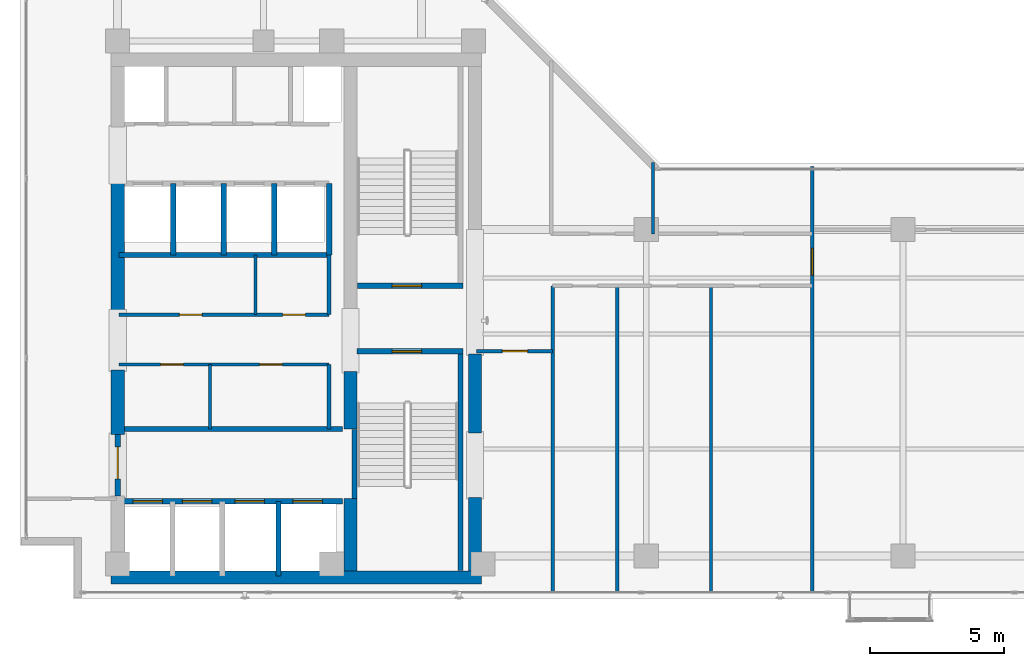
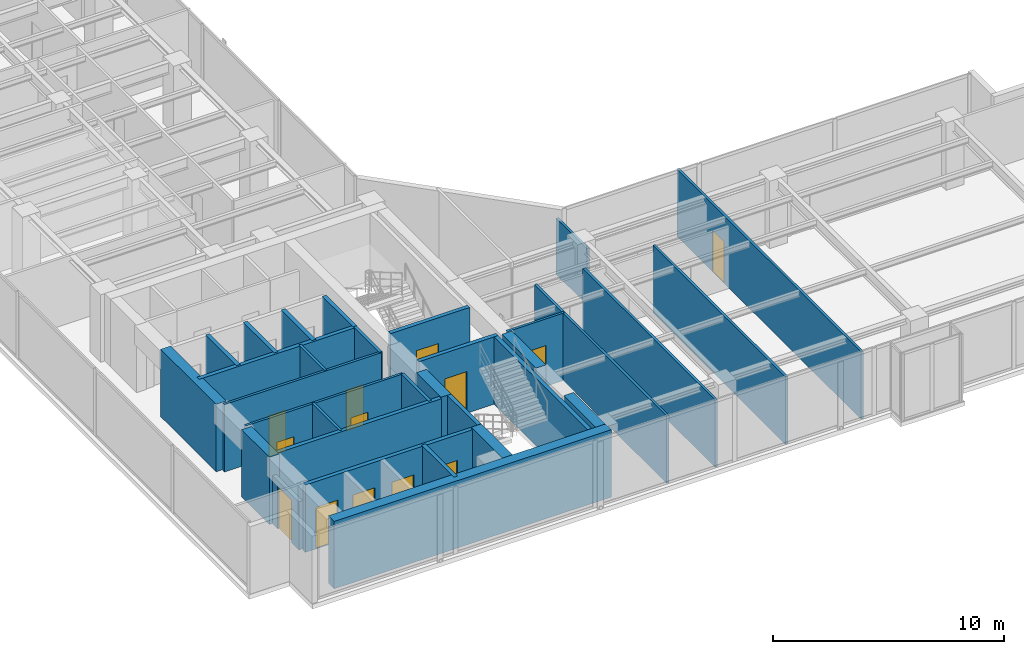
# One storey, part 17 of 24: 32 walls, 13 doors, 13 openings.
"""IFC4 building model written with IfcOpenShell, lengths in metres."""

from ifc_helpers import new_model, si_unit, direction, frame, frame_2d, origin, place, context, subcontext, project, spatial, rectangle, extrude, material, layer, layer_set, type_object, element, fill, save


model = new_model("IFC4")

# Units and contexts
model_context = context("Model", 3, precision=1e-05, world=origin(), true_north=direction((0.0, 1.0)))
body_context = subcontext(model_context, "Body", "Model", "MODEL_VIEW")
ifc_project = project(units=[si_unit("LENGTHUNIT", "METRE"), si_unit("AREAUNIT", "SQUARE_METRE"), si_unit("VOLUMEUNIT", "CUBIC_METRE"), si_unit("PLANEANGLEUNIT", "RADIAN"), si_unit("MASSUNIT", "GRAM", prefix="KILO")], contexts=[model_context])

# Site, building, storey
site_placement = place(None, origin())
site = spatial("IfcSite", under=ifc_project, at=site_placement, CompositionType="ELEMENT")
building_placement = place(site_placement, origin())
building = spatial("IfcBuilding", under=site, at=building_placement, Name="Kolvaren Waterfront Exchange", CompositionType="ELEMENT")
storey_placement = place(building_placement, frame((0.0, 0.0, 300.800048828125)))
storey = spatial("IfcBuildingStorey", under=building, at=storey_placement, Name="L77", CompositionType="ELEMENT", Elevation=300.800048828125)

# Wall, opening, door
ifc_material_1 = material(Name="Precast concrete C40/50", Category="concrete")
ifc_layer_1 = layer(ifc_material_1, 0.199951171875, Name="Precast concrete C40/50")
ifc_layer_set_1 = layer_set([ifc_layer_1], Name="Precast concrete C40/50")
wall_type_1 = type_object("IfcWallType", Name="ARC-FIRE-200", PredefinedType="PARTITIONING", material=ifc_layer_set_1)
wall_1_placement = place(storey_placement, frame((16.39990234375, 12.85009765625, 0.0), z_axis=(0.0, 0.0, 1.0), x_axis=(1.0, 0.0, 0.0)))
wall_1 = element("IfcWall", 1, at=wall_1_placement, inside=storey, type_object=wall_type_1, Name="L77 interior wall PW-L77-ST1-THROAT-S", PredefinedType="PARTITIONING", context=body_context, shape_type="SweptSolid", body=[
    extrude(rectangle(XDim=3.960205078125, YDim=0.199951171875, at=frame_2d((1.97998046875, 0.0))), origin(), (0.0, 0.0, 1.0), 3.56005859375),
])
opening_1_placement = place(wall_1_placement, frame((1.3037109375, 0.0, 0.0)))
opening_1 = element("IfcOpeningElement", 2, at=opening_1_placement, cuts=wall_1, Name="Opening FD2", PredefinedType="OPENING", context=body_context, shape_type="SweptSolid", body=[
    extrude(rectangle(XDim=1.10009765625, YDim=2.199951171875, at=frame_2d((0.550048828125, 1.10009765625))), frame((0.0, 0.10986328125, 0.0), z_axis=(0.0, -1.0, 0.0), x_axis=(1.0, 0.0, 0.0)), (0.0, 0.0, 1.0), 0.219970703125),
])
ifc_material_2 = material(Name="Pressed steel smoke-seal fire door", Category="steel")
door_type_1 = type_object("IfcDoorType", Name="ARC-FD-1100", OperationType="NOTDEFINED", PredefinedType="DOOR", material=ifc_material_2)
door_1_placement = place(opening_1_placement, frame((1.10009765625, 0.0, 0.0), z_axis=(0.0, 0.0, 1.0), x_axis=(-1.0, 0.0, 0.0)))
door_1 = element("IfcDoor", 3, at=door_1_placement, inside=storey, type_object=door_type_1, Name="L77 door DR-L77-ST1-IN (FD2)", OperationType="SINGLE_SWING_RIGHT", OverallHeight=2.199951171875, OverallWidth=1.10009765625, PredefinedType="DOOR", context=body_context, shape_type="SweptSolid", body=[
    extrude(rectangle(XDim=1.10009765625, YDim=2.199951171875, at=frame_2d((0.550048828125, 1.10009765625))), frame((0.0, 0.02490234375, 0.0), z_axis=(0.0, -1.0, 0.0), x_axis=(1.0, 0.0, 0.0)), (0.0, 0.0, 1.0), 0.050048828125),
])
fill(opening_1, door_1)

wall_2_placement = place(storey_placement, frame((16.409912109375, 15.300048828125, 0.0), z_axis=(0.0, 0.0, 1.0), x_axis=(1.0, 0.0, 0.0)))
wall_2 = element("IfcWall", 4, at=wall_2_placement, inside=storey, type_object=wall_type_1, Name="L77 interior wall PW-L77-ST2-THROAT-N", PredefinedType="PARTITIONING", context=body_context, shape_type="SweptSolid", body=[
    extrude(rectangle(XDim=3.9501953125, YDim=0.199951171875, at=frame_2d((1.97509765625, 0.0))), origin(), (0.0, 0.0, 1.0), 3.56005859375),
])
opening_2_placement = place(wall_2_placement, frame((1.293701171875, 0.0, 0.0)))
opening_2 = element("IfcOpeningElement", 5, at=opening_2_placement, cuts=wall_2, Name="Opening FD2", PredefinedType="OPENING", context=body_context, shape_type="SweptSolid", body=[
    extrude(rectangle(XDim=1.10009765625, YDim=2.199951171875, at=frame_2d((0.550048828125, 1.10009765625))), frame((0.0, 0.10986328125, 0.0), z_axis=(0.0, -1.0, 0.0), x_axis=(1.0, 0.0, 0.0)), (0.0, 0.0, 1.0), 0.219970703125),
])
door_2_placement = place(opening_2_placement, origin())
door_2 = element("IfcDoor", 6, at=door_2_placement, inside=storey, type_object=door_type_1, Name="L77 door DR-L77-ST2-IN (FD2)", OperationType="SINGLE_SWING_LEFT", OverallHeight=2.199951171875, OverallWidth=1.10009765625, PredefinedType="DOOR", context=body_context, shape_type="SweptSolid", body=[
    extrude(rectangle(XDim=1.10009765625, YDim=2.199951171875, at=frame_2d((0.550048828125, 1.10009765625))), frame((0.0, 0.02490234375, 0.0), z_axis=(0.0, -1.0, 0.0), x_axis=(1.0, 0.0, 0.0)), (0.0, 0.0, 1.0), 0.050048828125),
])
fill(opening_2, door_2)

# Wall
wall_3_placement = place(storey_placement, frame((7.5, 9.949951171875, 0.0), z_axis=(0.0, 0.0, 1.0), x_axis=(1.0, 0.0, 0.0)))
element("IfcWall", 7, at=wall_3_placement, inside=storey, type_object=wall_type_1, Name="L77 interior wall PW-L77-FF-N", PredefinedType="PARTITIONING", context=body_context, shape_type="SweptSolid", body=[
    extrude(rectangle(XDim=8.35009765625, YDim=0.199951171875, at=frame_2d((4.175048828125, 0.0))), origin(), (0.0, 0.0, 1.0), 3.56005859375),
])

# Wall, opening, door
wall_4_placement = place(storey_placement, frame((7.449951171875, 7.449951171875, 0.0), z_axis=(0.0, 0.0, 1.0), x_axis=(0.0, 1.0, 0.0)))
wall_4 = element("IfcWall", 8, at=wall_4_placement, inside=storey, type_object=wall_type_1, Name="L77 interior wall PW-L77-FF-W-DOOR", PredefinedType="PARTITIONING", context=body_context, shape_type="SweptSolid", body=[
    extrude(rectangle(XDim=2.300048828125, YDim=0.199951171875, at=frame_2d((1.14990234375, 0.0))), origin(), (0.0, 0.0, 1.0), 2.5400390625),
])
opening_3_placement = place(wall_4_placement, frame((0.63330078125, 0.0, 0.0)))
opening_3 = element("IfcOpeningElement", 9, at=opening_3_placement, cuts=wall_4, Name="Opening FD3", PredefinedType="OPENING", context=body_context, shape_type="SweptSolid", body=[
    extrude(rectangle(XDim=1.199951171875, YDim=2.25, at=frame_2d((0.60009765625, 1.125))), frame((0.0, 0.10986328125, 0.0), z_axis=(0.0, -1.0, 0.0), x_axis=(1.0, 0.0, 0.0)), (0.0, 0.0, 1.0), 0.219970703125),
])
ifc_material_3 = material(Name="Pressed steel fire door", Category="steel")
door_type_2 = type_object("IfcDoorType", Name="ARC-FD-1200", OperationType="NOTDEFINED", PredefinedType="DOOR", material=ifc_material_3)
door_3_placement = place(opening_3_placement, frame((1.199951171875, 0.0, 0.0), z_axis=(0.0, 0.0, 1.0), x_axis=(-1.0, 0.0, 0.0)))
door_3 = element("IfcDoor", 10, at=door_3_placement, inside=storey, type_object=door_type_2, Name="L77 door DR-L77-FF-OUT (FD3)", OperationType="SINGLE_SWING_RIGHT", OverallHeight=2.25, OverallWidth=1.199951171875, PredefinedType="DOOR", context=body_context, shape_type="SweptSolid", body=[
    extrude(rectangle(XDim=1.199951171875, YDim=2.25, at=frame_2d((0.60009765625, 1.125))), frame((0.0, 0.02490234375, 0.0), z_axis=(0.0, -1.0, 0.0), x_axis=(1.0, 0.0, 0.0)), (0.0, 0.0, 1.0), 0.050048828125),
])
fill(opening_3, door_3)

# Wall, openings, doors
ifc_material_4 = material(Name="Acoustic gypsum steel stud", Category="steel")
ifc_layer_2 = layer(ifc_material_4, 0.125, Name="Acoustic gypsum steel stud")
ifc_layer_set_2 = layer_set([ifc_layer_2], Name="Acoustic gypsum steel stud")
wall_type_2 = type_object("IfcWallType", Name="ARC-PART-125", PredefinedType="PARTITIONING", material=ifc_layer_set_2)
wall_5_placement = place(storey_placement, frame((7.5, 12.360107421875, 0.0), z_axis=(0.0, 0.0, 1.0), x_axis=(1.0, 0.0, 0.0)))
wall_5 = element("IfcWall", 11, at=wall_5_placement, inside=storey, type_object=wall_type_2, Name="L77 interior wall PW-L77-REC-HI-S", PredefinedType="PARTITIONING", context=body_context, shape_type="SweptSolid", body=[
    extrude(rectangle(XDim=7.85009765625, YDim=0.125, at=frame_2d((3.925048828125, 0.0))), origin(), (0.0, 0.0, 1.0), 3.56005859375),
])
opening_4_placement = place(wall_5_placement, frame((1.550048828125, 0.0, 0.0)))
opening_4 = element("IfcOpeningElement", 12, at=opening_4_placement, cuts=wall_5, Name="Opening D01", PredefinedType="OPENING", context=body_context, shape_type="SweptSolid", body=[
    extrude(rectangle(XDim=0.85009765625, YDim=2.14990234375, at=frame_2d((0.425048828125, 1.074951171875))), frame((0.0, 0.072509765625, 0.0), z_axis=(0.0, -1.0, 0.0), x_axis=(1.0, 0.0, 0.0)), (0.0, 0.0, 1.0), 0.14501953125),
])
opening_5_placement = place(wall_5_placement, frame((5.2578125, 0.0, 0.0)))
opening_5 = element("IfcOpeningElement", 13, at=opening_5_placement, cuts=wall_5, Name="Opening D01", PredefinedType="OPENING", context=body_context, shape_type="SweptSolid", body=[
    extrude(rectangle(XDim=0.85009765625, YDim=2.14990234375, at=frame_2d((0.425048828125, 1.074951171875))), frame((0.0, 0.072509765625, 0.0), z_axis=(0.0, -1.0, 0.0), x_axis=(1.0, 0.0, 0.0)), (0.0, 0.0, 1.0), 0.14501953125),
])
ifc_material_5 = material(Name="Oak veneer timber leaf", Category="wood")
door_type_3 = type_object("IfcDoorType", Name="ARC-DR-900", OperationType="NOTDEFINED", PredefinedType="DOOR", material=ifc_material_5)
door_4_placement = place(opening_4_placement, origin())
door_4 = element("IfcDoor", 14, at=door_4_placement, inside=storey, type_object=door_type_3, Name="L77 door DR-L77-REC-HI-D1 (D01)", OperationType="SINGLE_SWING_LEFT", OverallHeight=2.14990234375, OverallWidth=0.85009765625, PredefinedType="DOOR", context=body_context, shape_type="SweptSolid", body=[
    extrude(rectangle(XDim=0.85009765625, YDim=2.14990234375, at=frame_2d((0.425048828125, 1.074951171875))), frame((0.0, 0.02490234375, 0.0), z_axis=(0.0, -1.0, 0.0), x_axis=(1.0, 0.0, 0.0)), (0.0, 0.0, 1.0), 0.050048828125),
])
fill(opening_4, door_4)
door_5_placement = place(opening_5_placement, origin())
door_5 = element("IfcDoor", 15, at=door_5_placement, inside=storey, type_object=door_type_3, Name="L77 door DR-L77-REC-HI-D2 (D01)", OperationType="SINGLE_SWING_RIGHT", OverallHeight=2.14990234375, OverallWidth=0.85009765625, PredefinedType="DOOR", context=body_context, shape_type="SweptSolid", body=[
    extrude(rectangle(XDim=0.85009765625, YDim=2.14990234375, at=frame_2d((0.425048828125, 1.074951171875))), frame((0.0, 0.02490234375, 0.0), z_axis=(0.0, -1.0, 0.0), x_axis=(1.0, 0.0, 0.0)), (0.0, 0.0, 1.0), 0.050048828125),
])
fill(opening_5, door_5)

wall_6_placement = place(storey_placement, frame((7.5, 14.219970703125, 0.0), z_axis=(0.0, 0.0, 1.0), x_axis=(1.0, 0.0, 0.0)))
wall_6 = element("IfcWall", 16, at=wall_6_placement, inside=storey, type_object=wall_type_2, Name="L77 interior wall PW-L77-REC-HI-N", PredefinedType="PARTITIONING", context=body_context, shape_type="SweptSolid", body=[
    extrude(rectangle(XDim=7.85009765625, YDim=0.125, at=frame_2d((3.925048828125, 0.0))), origin(), (0.0, 0.0, 1.0), 3.56005859375),
])
opening_6_placement = place(wall_6_placement, frame((2.25244140625, 0.0, 0.0)))
opening_6 = element("IfcOpeningElement", 17, at=opening_6_placement, cuts=wall_6, Name="Opening D01", PredefinedType="OPENING", context=body_context, shape_type="SweptSolid", body=[
    extrude(rectangle(XDim=0.85009765625, YDim=2.14990234375, at=frame_2d((0.425048828125, 1.074951171875))), frame((0.0, 0.072509765625, 0.0), z_axis=(0.0, -1.0, 0.0), x_axis=(1.0, 0.0, 0.0)), (0.0, 0.0, 1.0), 0.14501953125),
])
opening_7_placement = place(wall_6_placement, frame((6.111328125, 0.0, 0.0)))
opening_7 = element("IfcOpeningElement", 18, at=opening_7_placement, cuts=wall_6, Name="Opening D01", PredefinedType="OPENING", context=body_context, shape_type="SweptSolid", body=[
    extrude(rectangle(XDim=0.85009765625, YDim=2.14990234375, at=frame_2d((0.425048828125, 1.074951171875))), frame((0.0, 0.072509765625, 0.0), z_axis=(0.0, -1.0, 0.0), x_axis=(1.0, 0.0, 0.0)), (0.0, 0.0, 1.0), 0.14501953125),
])
door_6_placement = place(opening_6_placement, origin())
door_6 = element("IfcDoor", 19, at=door_6_placement, inside=storey, type_object=door_type_3, Name="L77 door DR-L77-REC-HI-D3 (D01)", OperationType="SINGLE_SWING_LEFT", OverallHeight=2.14990234375, OverallWidth=0.85009765625, PredefinedType="DOOR", context=body_context, shape_type="SweptSolid", body=[
    extrude(rectangle(XDim=0.85009765625, YDim=2.14990234375, at=frame_2d((0.425048828125, 1.074951171875))), frame((0.0, 0.02490234375, 0.0), z_axis=(0.0, -1.0, 0.0), x_axis=(1.0, 0.0, 0.0)), (0.0, 0.0, 1.0), 0.050048828125),
])
fill(opening_6, door_6)
door_7_placement = place(opening_7_placement, origin())
door_7 = element("IfcDoor", 20, at=door_7_placement, inside=storey, type_object=door_type_3, Name="L77 door DR-L77-REC-HI-D4 (D01)", OperationType="SINGLE_SWING_RIGHT", OverallHeight=2.14990234375, OverallWidth=0.85009765625, PredefinedType="DOOR", context=body_context, shape_type="SweptSolid", body=[
    extrude(rectangle(XDim=0.85009765625, YDim=2.14990234375, at=frame_2d((0.425048828125, 1.074951171875))), frame((0.0, 0.02490234375, 0.0), z_axis=(0.0, -1.0, 0.0), x_axis=(1.0, 0.0, 0.0)), (0.0, 0.0, 1.0), 0.050048828125),
])
fill(opening_7, door_7)

# Walls
wall_7_placement = place(storey_placement, frame((10.89990234375, 9.949951171875, 0.0), z_axis=(0.0, 0.0, 1.0), x_axis=(0.0, 1.0, 0.0)))
element("IfcWall", 21, at=wall_7_placement, inside=storey, type_object=wall_type_2, Name="L77 interior wall PW-L77-REC-HI-MS3", PredefinedType="PARTITIONING", context=body_context, shape_type="SweptSolid", body=[
    extrude(rectangle(XDim=2.41015625, YDim=0.125, at=frame_2d((1.205078125, 0.0))), origin(), (0.0, 0.0, 1.0), 3.56005859375),
])
wall_8_placement = place(storey_placement, frame((12.60009765625, 14.219970703125, 0.0), z_axis=(0.0, 0.0, 1.0), x_axis=(0.0, 1.0, 0.0)))
element("IfcWall", 22, at=wall_8_placement, inside=storey, type_object=wall_type_2, Name="L77 interior wall PW-L77-REC-HI-MN3", PredefinedType="PARTITIONING", context=body_context, shape_type="SweptSolid", body=[
    extrude(rectangle(XDim=2.22998046875, YDim=0.125, at=frame_2d((1.114990234375, 0.0))), origin(), (0.0, 0.0, 1.0), 3.56005859375),
])

# Wall, opening, door
wall_9_placement = place(storey_placement, frame((20.85009765625, 12.860107421875, 0.0), z_axis=(0.0, 0.0, 1.0), x_axis=(1.0, 0.0, 0.0)))
wall_9 = element("IfcWall", 23, at=wall_9_placement, inside=storey, type_object=wall_type_2, Name="L77 interior wall PW-L77-SWST3-N", PredefinedType="PARTITIONING", context=body_context, shape_type="SweptSolid", body=[
    extrude(rectangle(XDim=2.849853515625, YDim=0.125, at=frame_2d((1.4248046875, 0.0))), origin(), (0.0, 0.0, 1.0), 3.56005859375),
])
opening_8_placement = place(wall_9_placement, frame((0.971435546875, 0.0, 0.0)))
opening_8 = element("IfcOpeningElement", 24, at=opening_8_placement, cuts=wall_9, Name="Opening D02", PredefinedType="OPENING", context=body_context, shape_type="SweptSolid", body=[
    extrude(rectangle(XDim=0.949951171875, YDim=2.14990234375, at=frame_2d((0.47509765625, 1.074951171875))), frame((0.0, 0.072509765625, 0.0), z_axis=(0.0, -1.0, 0.0), x_axis=(1.0, 0.0, 0.0)), (0.0, 0.0, 1.0), 0.14501953125),
])
ifc_material_6 = material(Name="Oak veneer acoustic timber", Category="wood")
door_type_4 = type_object("IfcDoorType", Name="ARC-DR-950", OperationType="NOTDEFINED", PredefinedType="DOOR", material=ifc_material_6)
door_8_placement = place(opening_8_placement, origin())
door_8 = element("IfcDoor", 25, at=door_8_placement, inside=storey, type_object=door_type_4, Name="L77 door DR-L77-SWST3-D (D02)", OperationType="SINGLE_SWING_LEFT", OverallHeight=2.14990234375, OverallWidth=0.949951171875, PredefinedType="DOOR", context=body_context, shape_type="SweptSolid", body=[
    extrude(rectangle(XDim=0.949951171875, YDim=2.14990234375, at=frame_2d((0.47509765625, 1.074951171875))), frame((0.0, 0.02490234375, 0.0), z_axis=(0.0, -1.0, 0.0), x_axis=(1.0, 0.0, 0.0)), (0.0, 0.0, 1.0), 0.050048828125),
])
fill(opening_8, door_8)

# Walls
for number, where, z_axis, x_axis, name in (
    (26, (23.699951171875, 3.840087890625, 0.0), (0.0, 0.0, 1.0), (0.0, 1.0, 0.0), "L77 interior wall PW-L77-ES-W0"),
    (27, (26.1201171875, 3.840087890625, 0.0), (0.0, 0.0, 1.0), (0.0, 1.0, 0.0), "L77 interior wall PW-L77-ES-DIV-1"),
    (28, (29.6201171875, 3.840087890625, 0.0), (0.0, 0.0, 1.0), (0.0, 1.0, 0.0), "L77 interior wall PW-L77-ES-DIV-2"),
):
    element("IfcWall", number, at=place(storey_placement, frame(where, z_axis=z_axis, x_axis=x_axis)), inside=storey, type_object=wall_type_2, Name=name, PredefinedType="PARTITIONING", context=body_context, shape_type="SweptSolid", body=[
        extrude(rectangle(XDim=11.4599609375, YDim=0.125, at=frame_2d((5.72998046875, 0.0))), origin(), (0.0, 0.0, 1.0), 3.56005859375),
    ])

# Wall, opening, door
wall_10_placement = place(storey_placement, frame((33.39990234375, 3.840087890625, 0.0), z_axis=(0.0, 0.0, 1.0), x_axis=(0.0, 1.0, 0.0)))
wall_10 = element("IfcWall", 29, at=wall_10_placement, inside=storey, type_object=wall_type_2, Name="L77 interior wall PW-L77-ETIP-W", PredefinedType="PARTITIONING", context=body_context, shape_type="SweptSolid", body=[
    extrude(rectangle(XDim=15.919921875, YDim=0.125, at=frame_2d((7.9599609375, 0.0))), origin(), (0.0, 0.0, 1.0), 3.56005859375),
])
opening_9_placement = place(wall_10_placement, frame((11.860107421875, 0.0, 0.0)))
opening_9 = element("IfcOpeningElement", 30, at=opening_9_placement, cuts=wall_10, Name="Opening D03", PredefinedType="OPENING", context=body_context, shape_type="SweptSolid", body=[
    extrude(rectangle(XDim=1.0, YDim=2.199951171875, at=frame_2d((0.5, 1.10009765625))), frame((0.0, 0.072509765625, 0.0), z_axis=(0.0, -1.0, 0.0), x_axis=(1.0, 0.0, 0.0)), (0.0, 0.0, 1.0), 0.14501953125),
])
ifc_material_7 = material(Name="Oak veneer accessible timber", Category="wood")
door_type_5 = type_object("IfcDoorType", Name="ARC-DR-1000", OperationType="NOTDEFINED", PredefinedType="DOOR", material=ifc_material_7)
door_9_placement = place(opening_9_placement, origin())
door_9 = element("IfcDoor", 31, at=door_9_placement, inside=storey, type_object=door_type_5, Name="L77 door DR-L77-ETIP1-D (D03)", OperationType="SINGLE_SWING_LEFT", OverallHeight=2.199951171875, OverallWidth=1.0, PredefinedType="DOOR", context=body_context, shape_type="SweptSolid", body=[
    extrude(rectangle(XDim=1.0, YDim=2.199951171875, at=frame_2d((0.5, 1.10009765625))), frame((0.0, 0.02490234375, 0.0), z_axis=(0.0, -1.0, 0.0), x_axis=(1.0, 0.0, 0.0)), (0.0, 0.0, 1.0), 0.050048828125),
])
fill(opening_9, door_9)

# Walls
wall_11_placement = place(storey_placement, frame((27.449951171875, 17.239990234375, 0.0), z_axis=(0.0, 0.0, 1.0), x_axis=(0.0, 1.0, 0.0)))
element("IfcWall", 32, at=wall_11_placement, inside=storey, type_object=wall_type_2, Name="L77 interior wall PW-L77-EN-DIV-1", PredefinedType="PARTITIONING", context=body_context, shape_type="SweptSolid", body=[
    extrude(rectangle(XDim=2.659423828125, YDim=0.125, at=frame_2d((1.32958984375, 0.0))), origin(), (0.0, 0.0, 1.0), 2.9599609375),
])
ifc_material_8 = material(Name="Gypsum fireboard steel stud", Category="steel")
ifc_layer_3 = layer(ifc_material_8, 0.14990234375, Name="Gypsum fireboard steel stud")
ifc_layer_set_3 = layer_set([ifc_layer_3], Name="Gypsum fireboard steel stud")
wall_type_3 = type_object("IfcWallType", Name="ARC-PART-150", PredefinedType="PARTITIONING", material=ifc_layer_set_3)
wall_12_placement = place(storey_placement, frame((15.35009765625, 9.949951171875, 0.0), z_axis=(0.0, 0.0, 1.0), x_axis=(0.0, 1.0, 0.0)))
element("IfcWall", 33, at=wall_12_placement, inside=storey, type_object=wall_type_3, Name="L77 interior wall PW-L77-REC-HI-E1", PredefinedType="PARTITIONING", context=body_context, shape_type="SweptSolid", body=[
    extrude(rectangle(XDim=2.41015625, YDim=0.14990234375, at=frame_2d((1.205078125, 0.0))), origin(), (0.0, 0.0, 1.0), 3.56005859375),
])
wall_13_placement = place(storey_placement, frame((15.35009765625, 14.219970703125, 0.0), z_axis=(0.0, 0.0, 1.0), x_axis=(0.0, 1.0, 0.0)))
element("IfcWall", 34, at=wall_13_placement, inside=storey, type_object=wall_type_3, Name="L77 interior wall PW-L77-REC-HI-E2", PredefinedType="PARTITIONING", context=body_context, shape_type="SweptSolid", body=[
    extrude(rectangle(XDim=2.22998046875, YDim=0.14990234375, at=frame_2d((1.114990234375, 0.0))), origin(), (0.0, 0.0, 1.0), 3.56005859375),
])
ifc_material_9 = material(Name="Concrete C40/50", Category="concrete")
ifc_layer_4 = layer(ifc_material_9, 0.199951171875, Name="Concrete C40/50")
ifc_layer_set_4 = layer_set([ifc_layer_4], Name="Concrete C40/50")
wall_type_4 = type_object("IfcWallType", Name="ARC-SHAFT-200", PredefinedType="PARTITIONING", material=ifc_layer_set_4)
wall_14_placement = place(storey_placement, frame((16.300048828125, 7.360107421875, 0.0), z_axis=(0.0, 0.0, 1.0), x_axis=(0.0, 1.0, 0.0)))
element("IfcWall", 35, at=wall_14_placement, inside=storey, type_object=wall_type_4, Name="L77 structural stairwell wall PW-L77-ST1-W", PredefinedType="SHEAR", context=body_context, shape_type="SweptSolid", body=[
    extrude(rectangle(XDim=2.579833984375, YDim=0.199951171875, at=frame_2d((1.2900390625, 0.0))), origin(), (0.0, 0.0, 1.0), 3.56005859375),
])
wall_15_placement = place(storey_placement, frame((20.260009765625, 4.659912109375, 0.0), z_axis=(0.0, 0.0, 1.0), x_axis=(0.0, 1.0, 0.0)))
element("IfcWall", 36, at=wall_15_placement, inside=storey, type_object=wall_type_4, Name="L77 structural stairwell wall PW-L77-ST1-E", PredefinedType="SHEAR", context=body_context, shape_type="SweptSolid", body=[
    extrude(rectangle(XDim=8.090087890625, YDim=0.199951171875, at=frame_2d((4.044921875, 0.0))), origin(), (0.0, 0.0, 1.0), 3.56005859375),
])

# Wall, openings, doors
wall_16_placement = place(storey_placement, frame((7.5, 7.25, 0.0), z_axis=(0.0, 0.0, 1.0), x_axis=(1.0, 0.0, 0.0)))
wall_16 = element("IfcWall", 37, at=wall_16_placement, inside=storey, type_object=wall_type_4, Name="L77 interior wall PW-L77-FF-S", PredefinedType="PARTITIONING", context=body_context, shape_type="SweptSolid", body=[
    extrude(rectangle(XDim=8.35009765625, YDim=0.199951171875, at=frame_2d((4.175048828125, 0.0))), origin(), (0.0, 0.0, 1.0), 3.56005859375),
])
opening_10_placement = place(wall_16_placement, frame((0.530029296875, 0.0, 0.0)))
opening_10 = element("IfcOpeningElement", 38, at=opening_10_placement, cuts=wall_16, Name="Opening LD1", PredefinedType="OPENING", context=body_context, shape_type="SweptSolid", body=[
    extrude(rectangle(XDim=1.10009765625, YDim=2.199951171875, at=frame_2d((0.550048828125, 1.10009765625))), frame((0.0, 0.10986328125, 0.0), z_axis=(0.0, -1.0, 0.0), x_axis=(1.0, 0.0, 0.0)), (0.0, 0.0, 1.0), 0.219970703125),
])
opening_11_placement = place(wall_16_placement, frame((2.3701171875, 0.0, 0.0)))
opening_11 = element("IfcOpeningElement", 39, at=opening_11_placement, cuts=wall_16, Name="Opening LD1", PredefinedType="OPENING", context=body_context, shape_type="SweptSolid", body=[
    extrude(rectangle(XDim=1.10009765625, YDim=2.199951171875, at=frame_2d((0.550048828125, 1.10009765625))), frame((0.0, 0.10986328125, 0.0), z_axis=(0.0, -1.0, 0.0), x_axis=(1.0, 0.0, 0.0)), (0.0, 0.0, 1.0), 0.219970703125),
])
opening_12_placement = place(wall_16_placement, frame((4.330078125, 0.0, 0.0)))
opening_12 = element("IfcOpeningElement", 40, at=opening_12_placement, cuts=wall_16, Name="Opening LD1", PredefinedType="OPENING", context=body_context, shape_type="SweptSolid", body=[
    extrude(rectangle(XDim=1.10009765625, YDim=2.199951171875, at=frame_2d((0.550048828125, 1.10009765625))), frame((0.0, 0.10986328125, 0.0), z_axis=(0.0, -1.0, 0.0), x_axis=(1.0, 0.0, 0.0)), (0.0, 0.0, 1.0), 0.219970703125),
])
opening_13_placement = place(wall_16_placement, frame((6.5, 0.0, 0.0)))
opening_13 = element("IfcOpeningElement", 41, at=opening_13_placement, cuts=wall_16, Name="Opening LD1", PredefinedType="OPENING", context=body_context, shape_type="SweptSolid", body=[
    extrude(rectangle(XDim=1.10009765625, YDim=2.199951171875, at=frame_2d((0.550048828125, 1.10009765625))), frame((0.0, 0.10986328125, 0.0), z_axis=(0.0, -1.0, 0.0), x_axis=(1.0, 0.0, 0.0)), (0.0, 0.0, 1.0), 0.219970703125),
])
ifc_material_10 = material(Name="Stainless steel sliding landing door", Category="steel")
door_type_6 = type_object("IfcDoorType", Name="ARC-LD-FF", OperationType="SLIDING_TO_LEFT", PredefinedType="DOOR", material=ifc_material_10)
door_10_placement = place(opening_10_placement, origin())
door_10 = element("IfcDoor", 42, at=door_10_placement, inside=storey, type_object=door_type_6, Name="L77 door LD-L77-FFL1 (LD1)", OperationType="SLIDING_TO_LEFT", OverallHeight=2.199951171875, OverallWidth=1.10009765625, PredefinedType="DOOR", context=body_context, shape_type="SweptSolid", body=[
    extrude(rectangle(XDim=1.10009765625, YDim=2.199951171875, at=frame_2d((0.550048828125, 1.10009765625))), frame((0.0, 0.02490234375, 0.0), z_axis=(0.0, -1.0, 0.0), x_axis=(1.0, 0.0, 0.0)), (0.0, 0.0, 1.0), 0.050048828125),
])
fill(opening_10, door_10)
door_11_placement = place(opening_11_placement, origin())
door_11 = element("IfcDoor", 43, at=door_11_placement, inside=storey, type_object=door_type_6, Name="L77 door LD-L77-FFL2 (LD1)", OperationType="SLIDING_TO_LEFT", OverallHeight=2.199951171875, OverallWidth=1.10009765625, PredefinedType="DOOR", context=body_context, shape_type="SweptSolid", body=[
    extrude(rectangle(XDim=1.10009765625, YDim=2.199951171875, at=frame_2d((0.550048828125, 1.10009765625))), frame((0.0, 0.02490234375, 0.0), z_axis=(0.0, -1.0, 0.0), x_axis=(1.0, 0.0, 0.0)), (0.0, 0.0, 1.0), 0.050048828125),
])
fill(opening_11, door_11)
door_12_placement = place(opening_12_placement, origin())
door_12 = element("IfcDoor", 44, at=door_12_placement, inside=storey, type_object=door_type_6, Name="L77 door LD-L77-GL1 (LD1)", OperationType="SLIDING_TO_LEFT", OverallHeight=2.199951171875, OverallWidth=1.10009765625, PredefinedType="DOOR", context=body_context, shape_type="SweptSolid", body=[
    extrude(rectangle(XDim=1.10009765625, YDim=2.199951171875, at=frame_2d((0.550048828125, 1.10009765625))), frame((0.0, 0.02490234375, 0.0), z_axis=(0.0, -1.0, 0.0), x_axis=(1.0, 0.0, 0.0)), (0.0, 0.0, 1.0), 0.050048828125),
])
fill(opening_12, door_12)
door_13_placement = place(opening_13_placement, origin())
door_13 = element("IfcDoor", 45, at=door_13_placement, inside=storey, type_object=door_type_6, Name="L77 door LD-L77-GL2 (LD1)", OperationType="SLIDING_TO_LEFT", OverallHeight=2.199951171875, OverallWidth=1.10009765625, PredefinedType="DOOR", context=body_context, shape_type="SweptSolid", body=[
    extrude(rectangle(XDim=1.10009765625, YDim=2.199951171875, at=frame_2d((0.550048828125, 1.10009765625))), frame((0.0, 0.02490234375, 0.0), z_axis=(0.0, -1.0, 0.0), x_axis=(1.0, 0.0, 0.0)), (0.0, 0.0, 1.0), 0.050048828125),
])
fill(opening_13, door_13)

# Walls
wall_17_placement = place(storey_placement, frame((13.4599609375, 4.449951171875, 0.0), z_axis=(0.0, 0.0, 1.0), x_axis=(0.0, 1.0, 0.0)))
element("IfcWall", 46, at=wall_17_placement, inside=storey, type_object=wall_type_4, Name="L77 interior wall PW-L77-SH1-DIV-134", PredefinedType="PARTITIONING", context=body_context, shape_type="SweptSolid", body=[
    extrude(rectangle(XDim=2.800048828125, YDim=0.199951171875, at=frame_2d((1.39990234375, 0.0))), origin(), (0.0, 0.0, 1.0), 3.56005859375),
])
wall_18_placement = place(storey_placement, frame((7.5, 16.449951171875, 0.0), z_axis=(0.0, 0.0, 1.0), x_axis=(1.0, 0.0, 0.0)))
element("IfcWall", 47, at=wall_18_placement, inside=storey, type_object=wall_type_4, Name="L77 interior wall PW-L77-REC-PM-N", PredefinedType="PARTITIONING", context=body_context, shape_type="SweptSolid", body=[
    extrude(rectangle(XDim=7.85009765625, YDim=0.199951171875, at=frame_2d((3.925048828125, 0.0))), origin(), (0.0, 0.0, 1.0), 3.56005859375),
])
for number, where, z_axis, x_axis, name in (
    (48, (15.35009765625, 16.449951171875, 0.0), (0.0, 0.0, 1.0), (0.0, 1.0, 0.0), "L77 interior wall PW-L77-PH-E"),
    (49, (9.52001953125, 16.449951171875, 0.0), (0.0, 0.0, 1.0), (0.0, 1.0, 0.0), "L77 interior wall PW-L77-SH4-DIV-95"),
    (50, (11.409912109375, 16.449951171875, 0.0), (0.0, 0.0, 1.0), (0.0, 1.0, 0.0), "L77 interior wall PW-L77-SH4-DIV-114"),
    (51, (13.300048828125, 16.449951171875, 0.0), (0.0, 0.0, 1.0), (0.0, 1.0, 0.0), "L77 interior wall PW-L77-SH4-DIV-133"),
):
    element("IfcWall", number, at=place(storey_placement, frame(where, z_axis=z_axis, x_axis=x_axis)), inside=storey, type_object=wall_type_4, Name=name, PredefinedType="PARTITIONING", context=body_context, shape_type="SweptSolid", body=[
        extrude(rectangle(XDim=2.670166015625, YDim=0.199951171875, at=frame_2d((1.3349609375, 0.0))), origin(), (0.0, 0.0, 1.0), 3.56005859375),
    ])
ifc_material_11 = material(Name="Concrete C50/60", Category="concrete")
ifc_layer_5 = layer(ifc_material_11, 0.5, Name="Concrete C50/60")
ifc_layer_set_5 = layer_set([ifc_layer_5], Name="Concrete C50/60")
wall_type_5 = type_object("IfcWallType", Name="STR-CWALL-500", PredefinedType="SHEAR", material=ifc_layer_set_5)
wall_19_placement = place(storey_placement, frame((7.199951171875, 4.39990234375, 0.0), z_axis=(0.0, 0.0, 1.0), x_axis=(1.0, 0.0, 0.0)))
element("IfcWall", 52, at=wall_19_placement, inside=storey, type_object=wall_type_5, Name="L77 rear-core shear wall S", PredefinedType="SHEAR", context=body_context, shape_type="SweptSolid", body=[
    extrude(rectangle(XDim=13.85009765625, YDim=0.5, at=frame_2d((6.925048828125, 0.0))), origin(), (0.0, 0.0, 1.0), 3.56005859375),
])
wall_20_placement = place(storey_placement, frame((7.449951171875, 9.75, 0.0), z_axis=(0.0, 0.0, 1.0), x_axis=(0.0, 1.0, 0.0)))
element("IfcWall", 53, at=wall_20_placement, inside=storey, type_object=wall_type_5, Name="L77 rear-core shear wall W2A", PredefinedType="SHEAR", context=body_context, shape_type="SweptSolid", body=[
    extrude(rectangle(XDim=2.39990234375, YDim=0.5, at=frame_2d((1.199951171875, 0.0))), origin(), (0.0, 0.0, 1.0), 3.56005859375),
])
wall_21_placement = place(storey_placement, frame((7.449951171875, 14.35009765625, 0.0), z_axis=(0.0, 0.0, 1.0), x_axis=(0.0, 1.0, 0.0)))
element("IfcWall", 54, at=wall_21_placement, inside=storey, type_object=wall_type_5, Name="L77 rear-core shear wall W2B", PredefinedType="SHEAR", context=body_context, shape_type="SweptSolid", body=[
    extrude(rectangle(XDim=4.809814453125, YDim=0.5, at=frame_2d((2.40478515625, 0.0))), origin(), (0.0, 0.0, 1.0), 3.56005859375),
])
wall_22_placement = place(storey_placement, frame((20.800048828125, 4.64990234375, 0.0), z_axis=(0.0, 0.0, 1.0), x_axis=(0.0, 1.0, 0.0)))
element("IfcWall", 55, at=wall_22_placement, inside=storey, type_object=wall_type_5, Name="L77 rear-core shear wall E1", PredefinedType="SHEAR", context=body_context, shape_type="SweptSolid", body=[
    extrude(rectangle(XDim=2.75, YDim=0.5, at=frame_2d((1.375, 0.0))), origin(), (0.0, 0.0, 1.0), 3.56005859375),
])
wall_23_placement = place(storey_placement, frame((20.800048828125, 9.800048828125, 0.0), z_axis=(0.0, 0.0, 1.0), x_axis=(0.0, 1.0, 0.0)))
element("IfcWall", 56, at=wall_23_placement, inside=storey, type_object=wall_type_5, Name="L77 rear-core shear wall E2", PredefinedType="SHEAR", context=body_context, shape_type="SweptSolid", body=[
    extrude(rectangle(XDim=2.949951171875, YDim=0.5, at=frame_2d((1.47509765625, 0.0))), origin(), (0.0, 0.0, 1.0), 3.56005859375),
])
wall_24_placement = place(storey_placement, frame((16.14990234375, 4.64990234375, 0.0), z_axis=(0.0, 0.0, 1.0), x_axis=(0.0, 1.0, 0.0)))
element("IfcWall", 57, at=wall_24_placement, inside=storey, type_object=wall_type_5, Name="L77 rear-core shear wall M1", PredefinedType="SHEAR", context=body_context, shape_type="SweptSolid", body=[
    extrude(rectangle(XDim=2.7001953125, YDim=0.5, at=frame_2d((1.35009765625, 0.0))), origin(), (0.0, 0.0, 1.0), 3.56005859375),
])
wall_25_placement = place(storey_placement, frame((16.14990234375, 9.949951171875, 0.0), z_axis=(0.0, 0.0, 1.0), x_axis=(0.0, 1.0, 0.0)))
element("IfcWall", 58, at=wall_25_placement, inside=storey, type_object=wall_type_5, Name="L77 rear-core shear wall M2", PredefinedType="SHEAR", context=body_context, shape_type="SweptSolid", body=[
    extrude(rectangle(XDim=2.150146484375, YDim=0.5, at=frame_2d((1.0751953125, 0.0))), origin(), (0.0, 0.0, 1.0), 3.56005859375),
])

save(model, "model.ifc")
